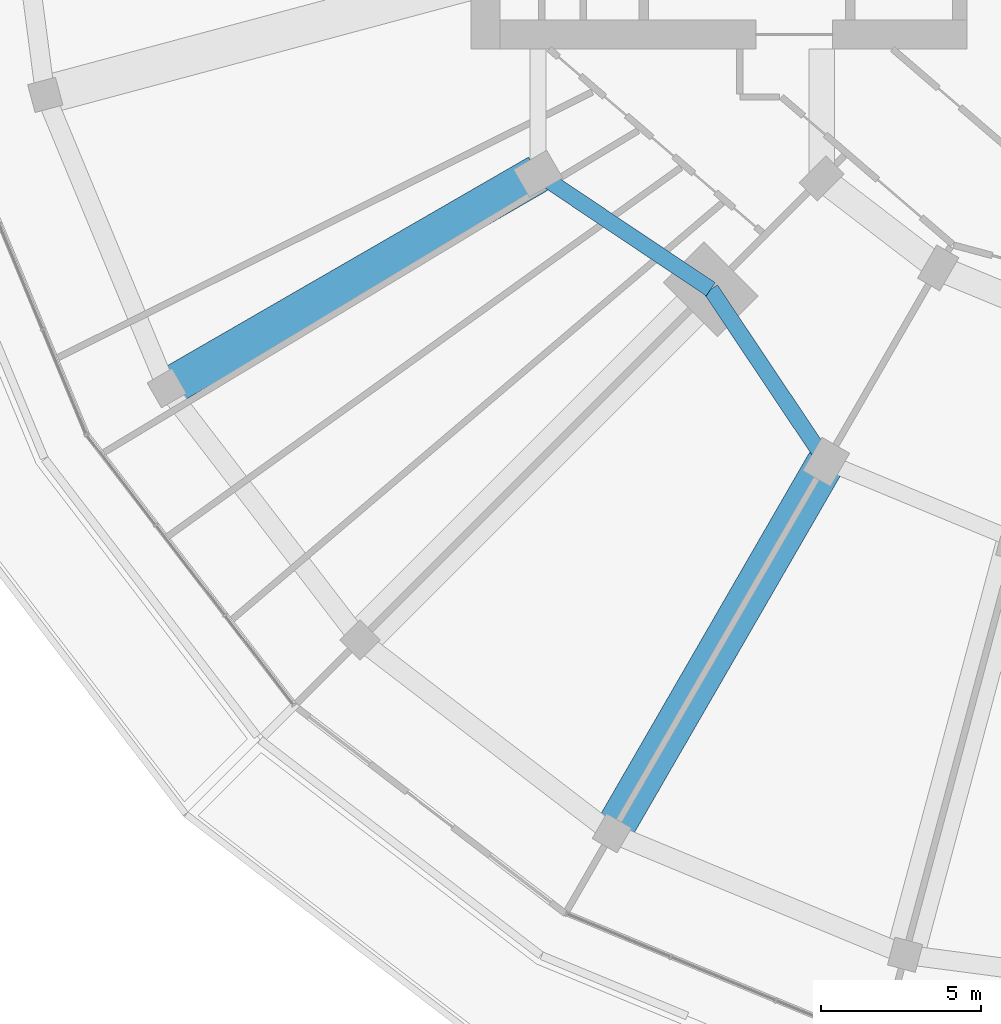
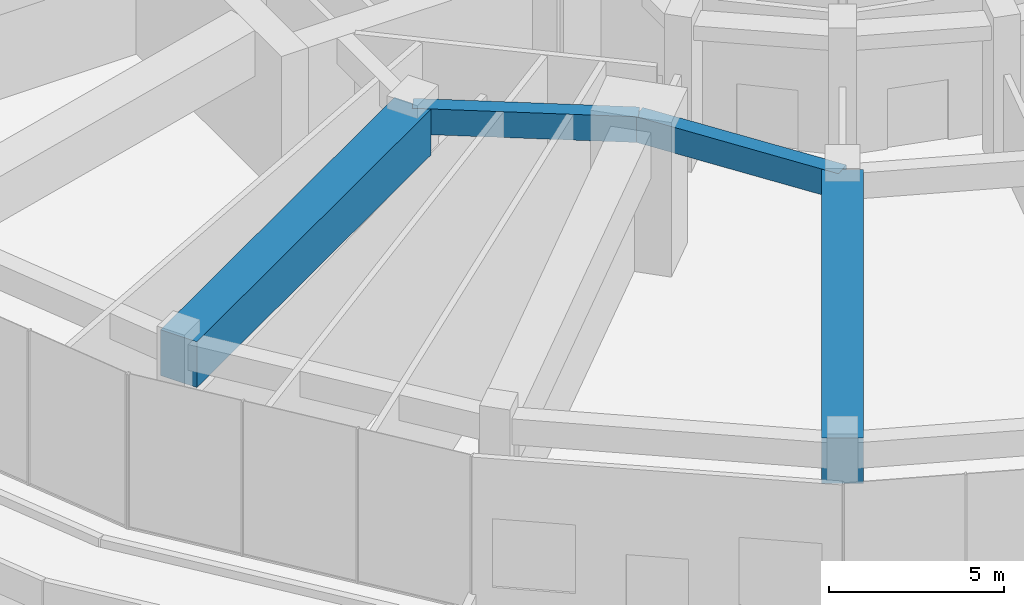
# One storey, part 4 of 30: 4 beams.
"""IFC4 building model written with IfcOpenShell, lengths in metres."""

from ifc_helpers import new_model, si_unit, direction, frame, origin, origin_2d, place, context, subcontext, project, spatial, rectangle, extrude, material, material_profile, profile_set, type_object, element, save


model = new_model("IFC4")

# Units and contexts
model_context = context("Model", 3, precision=1e-05, world=origin(), true_north=direction((0.0, 1.0)))
body_context = subcontext(model_context, "Body", "Model", "MODEL_VIEW")
ifc_project = project(units=[si_unit("LENGTHUNIT", "METRE"), si_unit("AREAUNIT", "SQUARE_METRE"), si_unit("VOLUMEUNIT", "CUBIC_METRE"), si_unit("PLANEANGLEUNIT", "RADIAN"), si_unit("MASSUNIT", "GRAM", prefix="KILO")], contexts=[model_context])

# Site, building, storey
site_placement = place(None, origin())
site = spatial("IfcSite", under=ifc_project, at=site_placement, CompositionType="ELEMENT")
building_placement = place(site_placement, origin())
building = spatial("IfcBuilding", under=site, at=building_placement, Name="Torre Brocal", CompositionType="ELEMENT")
storey_placement = place(building_placement, frame((0.0, 0.0, 7.0)))
storey = spatial("IfcBuildingStorey", under=building, at=storey_placement, Name="L01", CompositionType="ELEMENT", Elevation=7.0)

# Beams
ifc_material_1 = material(Name="Concrete C50", Category="concrete")
ifc_material_profile_1 = material_profile(ifc_material_1, rectangle(XDim=0.5, YDim=0.89990234375, at=origin_2d()), Name="RC 500X900")
ifc_profile_set_1 = profile_set([ifc_material_profile_1], Name="Concrete C50")
beam_type_1 = type_object("IfcBeamType", Name="RC SPANDREL BEAM 500X900 C50 TOP 4950", PredefinedType="SPANDREL", material=ifc_profile_set_1)
for number, where, z_axis, x_axis, name in (
    (1, (58.69580078125, 62.699951171875, 4.5), (0.831076844476, -0.556157602282, 0.0), (0.556157602282, 0.831076844476, 0.0), "Beam BT-12"),
    (2, (64.090087890625, 59.090087890625, 4.5), (0.556157602282, -0.831076844476, 0.0), (0.831076844476, 0.556157602282, 0.0), "Beam BT-12"),
):
    element("IfcBeam", number, at=place(storey_placement, frame(where, z_axis=z_axis, x_axis=x_axis)), inside=storey, type_object=beam_type_1, Name=name, PredefinedType="SPANDREL", context=body_context, shape_type="SweptSolid", body=[
        extrude(rectangle(XDim=0.5, YDim=0.89990234375, at=origin_2d()), origin(), (0.0, 0.0, 1.0), 6.49072265625),
    ])
ifc_material_2 = material(Name="Concrete C60", Category="concrete")
ifc_material_profile_2 = material_profile(ifc_material_2, rectangle(XDim=1.199951171875, YDim=1.60009765625, at=origin_2d()), Name="RC 1200X1600")
ifc_profile_set_2 = profile_set([ifc_material_profile_2], Name="Concrete C60")
beam_type_2 = type_object("IfcBeamType", Name="RC TRANSFER GIRDER 1200X1600 C60 TOP 4950", PredefinedType="BEAM", material=ifc_profile_set_2)
for number, where, z_axis, x_axis, name in (
    (3, (58.69580078125, 62.699951171875, 4.14990234375), (-0.866026905467, -0.499997399001, 0.0), (0.499997399001, -0.866026905467, 0.0), "Beam TG-02"),
    (4, (67.699951171875, 53.69580078125, 4.14990234375), (-0.499997399001, -0.866026905467, 0.0), (0.866026905467, -0.499997399001, 0.0), "Beam TG-02"),
):
    element("IfcBeam", number, at=place(storey_placement, frame(where, z_axis=z_axis, x_axis=x_axis)), inside=storey, type_object=beam_type_2, Name=name, PredefinedType="BEAM", context=body_context, shape_type="SweptSolid", body=[
        extrude(rectangle(XDim=1.199951171875, YDim=1.60009765625, at=origin_2d()), origin(), (0.0, 0.0, 1.0), 13.39990234375),
    ])

save(model, "model.ifc")
